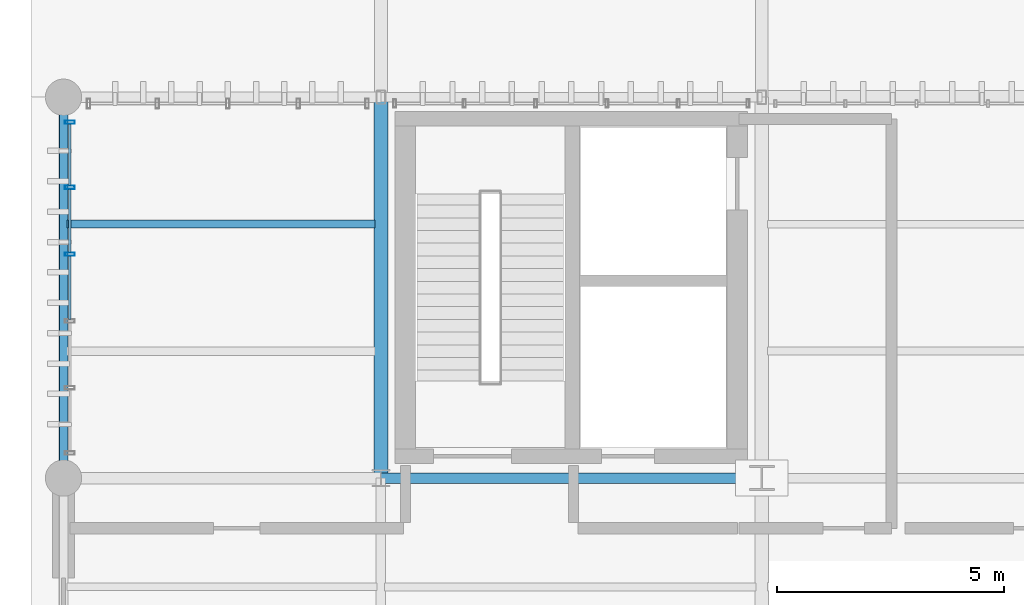
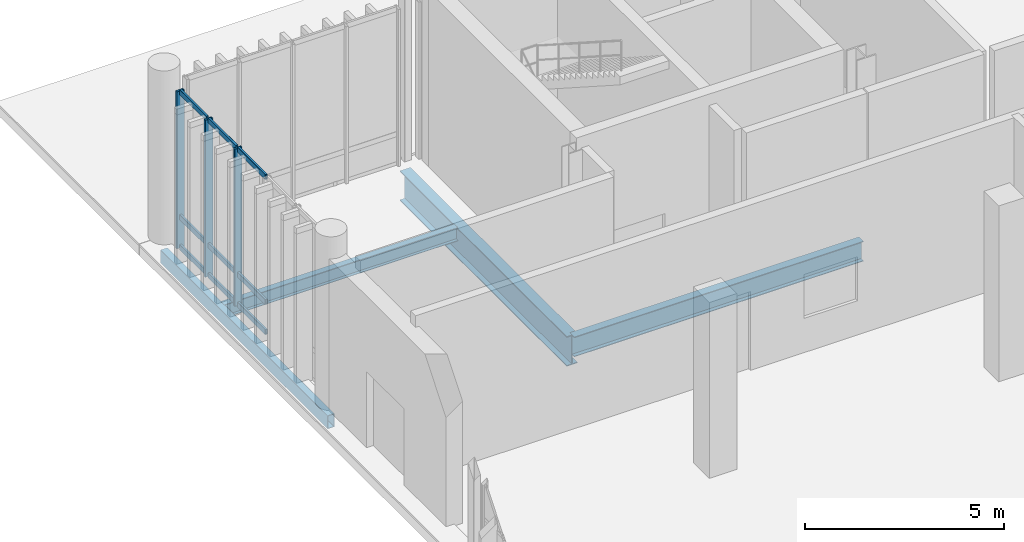
# One storey, part 26 of 112: 12 members, 4 beams, 1 element without a shape of its own.
"""IFC4 building model written with IfcOpenShell, lengths in metres."""

from ifc_helpers import new_model, si_unit, direction, frame, origin_with_axes, origin_2d_with_axis, place, context, subcontext, project, spatial, hollow_rectangle, i_section, extrude, material, material_profile, profile_set, type_object, element, aggregate, save


model = new_model("IFC4")

# Units and contexts
model_context = context("Model", 3, precision=1e-05, world=origin_with_axes(), true_north=direction((0.0, 1.0)))
body_context = subcontext(model_context, "Body", "Model", "MODEL_VIEW")
ifc_project = project(units=[si_unit("LENGTHUNIT", "METRE"), si_unit("AREAUNIT", "SQUARE_METRE"), si_unit("VOLUMEUNIT", "CUBIC_METRE"), si_unit("PLANEANGLEUNIT", "RADIAN"), si_unit("MASSUNIT", "GRAM", prefix="KILO"), si_unit("THERMODYNAMICTEMPERATUREUNIT", "KELVIN")], contexts=[model_context])

# Site, building, storey
site_placement = place(None, origin_with_axes())
site = spatial("IfcSite", under=ifc_project, at=site_placement, CompositionType="ELEMENT")
building_placement = place(site_placement, origin_with_axes())
building = spatial("IfcBuilding", under=site, at=building_placement, Name="Montbau Bow Law Courts", CompositionType="ELEMENT")
storey_placement = place(building_placement, origin_with_axes())
storey = spatial("IfcBuildingStorey", under=building, at=storey_placement, Name="L00", CompositionType="ELEMENT", Elevation=0.0)

# Beams
ifc_material_1 = material(Name="Steel CSA G40.21 Grade 350W (350 MPa)", Category="steel")
ifc_material_profile_1 = material_profile(ifc_material_1, i_section(OverallWidth=0.306, OverallDepth=0.919, WebThickness=0.0173, FlangeThickness=0.0279, at=origin_2d_with_axis()), Name="W920X253", Category="Main", Priority=0)
ifc_profile_set_1 = profile_set([ifc_material_profile_1], Name="Steel CSA G40.21 Grade 350W (350 MPa)")
beam_type_1 = type_object("IfcBeamType", Name="B-FLR-01", PredefinedType="BEAM", material=ifc_profile_set_1)
beam_1_placement = place(None, frame((13.8, 46.2, -0.8), z_axis=(0.0, 1.0, 0.0), x_axis=(-1.0, 0.0, 0.0)))
element("IfcBeam", 1, at=beam_1_placement, inside=storey, type_object=beam_type_1, Name="BM-L00-S0246:bm2_0249", PredefinedType="BEAM", context=body_context, shape_type="SweptSolid", body=[
    extrude(i_section(OverallWidth=0.306, OverallDepth=0.919, WebThickness=0.0173, FlangeThickness=0.0279, at=origin_2d_with_axis()), origin_with_axes(), (0.0, 0.0, 1.0), 8.4),
])
ifc_material_profile_2 = material_profile(ifc_material_1, i_section(OverallWidth=0.229, OverallDepth=0.612, WebThickness=0.0119, FlangeThickness=0.0196, at=origin_2d_with_axis()), Name="W610X125", Category="Main", Priority=0)
ifc_profile_set_2 = profile_set([ifc_material_profile_2], Name="Steel CSA G40.21 Grade 350W (350 MPa)")
beam_type_2 = type_object("IfcBeamType", Name="B-FLR-05", PredefinedType="BEAM", material=ifc_profile_set_2)
beam_2_placement = place(None, frame((13.8, 46.2, -0.646), z_axis=(1.0, 0.0, 0.0), x_axis=(0.0, 1.0, 0.0)))
element("IfcBeam", 2, at=beam_2_placement, inside=storey, type_object=beam_type_2, Name="BM-L00-S0198:bm2_0201", PredefinedType="BEAM", context=body_context, shape_type="SweptSolid", body=[
    extrude(i_section(OverallWidth=0.229, OverallDepth=0.612, WebThickness=0.0119, FlangeThickness=0.0196, at=origin_2d_with_axis()), origin_with_axes(), (0.0, 0.0, 1.0), 8.4),
])
ifc_material_profile_3 = material_profile(ifc_material_1, i_section(OverallWidth=0.179, OverallDepth=0.41, WebThickness=0.0088, FlangeThickness=0.0144, at=origin_2d_with_axis()), Name="W410X67", Category="Main", Priority=0)
ifc_profile_set_3 = profile_set([ifc_material_profile_3], Name="Steel CSA G40.21 Grade 350W (350 MPa)")
beam_type_3 = type_object("IfcBeamType", Name="B-JST-02", PredefinedType="JOIST", material=ifc_profile_set_3)
beam_3_placement = place(None, frame((6.88, 51.8, -0.545), z_axis=(1.0, 0.0, 0.0), x_axis=(0.0, 1.0, 0.0)))
element("IfcBeam", 3, at=beam_3_placement, inside=storey, type_object=beam_type_3, Name="JST-L00-S0009:jst2_0009", PredefinedType="JOIST", context=body_context, shape_type="SweptSolid", body=[
    extrude(i_section(OverallWidth=0.179, OverallDepth=0.41, WebThickness=0.0088, FlangeThickness=0.0144, at=origin_2d_with_axis()), origin_with_axes(), (0.0, 0.0, 1.0), 6.791),
])
ifc_material_2 = material(Name="Steel CSA G40.21 Grade 350WT (350 MPa)", Category="steel")
ifc_material_profile_4 = material_profile(ifc_material_2, hollow_rectangle(XDim=0.203, YDim=0.406, WallThickness=0.0127, InnerFilletRadius=0.0254, OuterFilletRadius=0.0127, at=origin_2d_with_axis()), Name="HSS406X203X13", Category="Main", Priority=0)
ifc_profile_set_4 = profile_set([ifc_material_profile_4], Name="Steel CSA G40.21 Grade 350WT (350 MPa)")
beam_type_4 = type_object("IfcBeamType", Name="B-SPN-01", PredefinedType="SPANDREL", material=ifc_profile_set_4)
beam_4_placement = place(None, frame((6.8, 46.2, -0.543), z_axis=(0.0, 1.0, 0.0), x_axis=(-1.0, 0.0, 0.0)))
element("IfcBeam", 4, at=beam_4_placement, inside=storey, type_object=beam_type_4, Name="SPN-L00-S0241:bm2_0244", PredefinedType="SPANDREL", context=body_context, shape_type="SweptSolid", body=[
    extrude(hollow_rectangle(XDim=0.203, YDim=0.406, WallThickness=0.0127, InnerFilletRadius=0.0254, OuterFilletRadius=0.0127, at=origin_2d_with_axis()), origin_with_axes(), (0.0, 0.0, 1.0), 8.4),
])

# Curtain wall, members
ifc_material_3 = material(Name="Thermally Broken Extruded Aluminium AA 6063-T6", Category="aluminium")
curtain_wall_type = type_object("IfcCurtainWallType", Name="CW-TRC-01", PredefinedType="NOTDEFINED", material=ifc_material_3)
curtain_wall_placement = place(None, frame((6.94, 46.715, 0.0), z_axis=(0.0, 0.0, 1.0), x_axis=(1.0, 0.0, 0.0)))
curtain_wall = element("IfcCurtainWall", 5, at=curtain_wall_placement, inside=storey, type_object=curtain_wall_type, Name="CW-L00-012:cw_0012", PredefinedType="NOTDEFINED")
ifc_material_profile_5 = material_profile(ifc_material_3, hollow_rectangle(XDim=0.075, YDim=0.22, WallThickness=0.005, InnerFilletRadius=0.01, OuterFilletRadius=0.005, at=origin_2d_with_axis()), Name="CWM-220X75", Category="Main", Priority=0)
ifc_profile_set_5 = profile_set([ifc_material_profile_5], Name="Thermally Broken Extruded Aluminium AA 6063-T6")
member_type_1 = type_object("IfcMemberType", Name="M-MUL-01", PredefinedType="MULLION", material=ifc_profile_set_5)
member_1_placement = place(None, frame((6.94, 51.137, 0.0), z_axis=(0.0, 0.0, 1.0), x_axis=(0.0, 1.0, 0.0)))
member_1 = element("IfcMember", 6, at=member_1_placement, type_object=member_type_1, Name="CW-L00-012-M04:cw_0012_M04", PredefinedType="MULLION", context=body_context, shape_type="SweptSolid", body=[
    extrude(hollow_rectangle(XDim=0.075, YDim=0.22, WallThickness=0.005, InnerFilletRadius=0.01, OuterFilletRadius=0.005, at=origin_2d_with_axis()), origin_with_axes(), (0.0, 0.0, 1.0), 4.82),
])
member_2_placement = place(None, frame((6.94, 52.611, 0.0), z_axis=(0.0, 0.0, 1.0), x_axis=(0.0, 1.0, 0.0)))
member_2 = element("IfcMember", 7, at=member_2_placement, type_object=member_type_1, Name="CW-L00-012-M05:cw_0012_M05", PredefinedType="MULLION", context=body_context, shape_type="SweptSolid", body=[
    extrude(hollow_rectangle(XDim=0.075, YDim=0.22, WallThickness=0.005, InnerFilletRadius=0.01, OuterFilletRadius=0.005, at=origin_2d_with_axis()), origin_with_axes(), (0.0, 0.0, 1.0), 4.82),
])
member_3_placement = place(None, frame((6.94, 54.047, 0.0), z_axis=(0.0, 0.0, 1.0), x_axis=(0.0, 1.0, 0.0)))
member_3 = element("IfcMember", 8, at=member_3_placement, type_object=member_type_1, Name="CW-L00-012-M06:cw_0012_M06", PredefinedType="MULLION", context=body_context, shape_type="SweptSolid", body=[
    extrude(hollow_rectangle(XDim=0.075, YDim=0.22, WallThickness=0.005, InnerFilletRadius=0.01, OuterFilletRadius=0.005, at=origin_2d_with_axis()), origin_with_axes(), (0.0, 0.0, 1.0), 4.82),
])
ifc_material_profile_6 = material_profile(ifc_material_3, hollow_rectangle(XDim=0.06, YDim=0.16, WallThickness=0.004, InnerFilletRadius=0.008, OuterFilletRadius=0.004, at=origin_2d_with_axis()), Name="CWT-160X60", Category="Main", Priority=0)
ifc_profile_set_6 = profile_set([ifc_material_profile_6], Name="Thermally Broken Extruded Aluminium AA 6063-T6")
member_type_2 = type_object("IfcMemberType", Name="M-TRN-01", PredefinedType="USERDEFINED", material=ifc_profile_set_6)
member_4_placement = place(None, frame((6.94, 49.702, 0.03), z_axis=(0.0, 1.0, 0.0), x_axis=(-1.0, 0.0, 0.0)))
member_4 = element("IfcMember", 9, at=member_4_placement, type_object=member_type_2, Name="CW-L00-012-T03-1:cw_0012_T03_1", ObjectType="TRANSOM", PredefinedType="USERDEFINED", context=body_context, shape_type="SweptSolid", body=[
    extrude(hollow_rectangle(XDim=0.06, YDim=0.16, WallThickness=0.004, InnerFilletRadius=0.008, OuterFilletRadius=0.004, at=origin_2d_with_axis()), origin_with_axes(), (0.0, 0.0, 1.0), 1.396),
])
member_5_placement = place(None, frame((6.94, 49.702, 0.95), z_axis=(0.0, 1.0, 0.0), x_axis=(-1.0, 0.0, 0.0)))
member_5 = element("IfcMember", 10, at=member_5_placement, type_object=member_type_2, Name="CW-L00-012-T03-2:cw_0012_T03_2", ObjectType="TRANSOM", PredefinedType="USERDEFINED", context=body_context, shape_type="SweptSolid", body=[
    extrude(hollow_rectangle(XDim=0.06, YDim=0.16, WallThickness=0.004, InnerFilletRadius=0.008, OuterFilletRadius=0.004, at=origin_2d_with_axis()), origin_with_axes(), (0.0, 0.0, 1.0), 1.396),
])
member_6_placement = place(None, frame((6.94, 49.702, 4.79), z_axis=(0.0, 1.0, 0.0), x_axis=(-1.0, 0.0, 0.0)))
member_6 = element("IfcMember", 11, at=member_6_placement, type_object=member_type_2, Name="CW-L00-012-T03-3:cw_0012_T03_3", ObjectType="TRANSOM", PredefinedType="USERDEFINED", context=body_context, shape_type="SweptSolid", body=[
    extrude(hollow_rectangle(XDim=0.06, YDim=0.16, WallThickness=0.004, InnerFilletRadius=0.008, OuterFilletRadius=0.004, at=origin_2d_with_axis()), origin_with_axes(), (0.0, 0.0, 1.0), 1.396),
])
member_7_placement = place(None, frame((6.94, 51.176, 0.03), z_axis=(0.0, 1.0, 0.0), x_axis=(-1.0, 0.0, 0.0)))
member_7 = element("IfcMember", 12, at=member_7_placement, type_object=member_type_2, Name="CW-L00-012-T04-1:cw_0012_T04_1", ObjectType="TRANSOM", PredefinedType="USERDEFINED", context=body_context, shape_type="SweptSolid", body=[
    extrude(hollow_rectangle(XDim=0.06, YDim=0.16, WallThickness=0.004, InnerFilletRadius=0.008, OuterFilletRadius=0.004, at=origin_2d_with_axis()), origin_with_axes(), (0.0, 0.0, 1.0), 1.396),
])
member_8_placement = place(None, frame((6.94, 51.176, 0.95), z_axis=(0.0, 1.0, 0.0), x_axis=(-1.0, 0.0, 0.0)))
member_8 = element("IfcMember", 13, at=member_8_placement, type_object=member_type_2, Name="CW-L00-012-T04-2:cw_0012_T04_2", ObjectType="TRANSOM", PredefinedType="USERDEFINED", context=body_context, shape_type="SweptSolid", body=[
    extrude(hollow_rectangle(XDim=0.06, YDim=0.16, WallThickness=0.004, InnerFilletRadius=0.008, OuterFilletRadius=0.004, at=origin_2d_with_axis()), origin_with_axes(), (0.0, 0.0, 1.0), 1.396),
])
member_9_placement = place(None, frame((6.94, 51.176, 4.79), z_axis=(0.0, 1.0, 0.0), x_axis=(-1.0, 0.0, 0.0)))
member_9 = element("IfcMember", 14, at=member_9_placement, type_object=member_type_2, Name="CW-L00-012-T04-3:cw_0012_T04_3", ObjectType="TRANSOM", PredefinedType="USERDEFINED", context=body_context, shape_type="SweptSolid", body=[
    extrude(hollow_rectangle(XDim=0.06, YDim=0.16, WallThickness=0.004, InnerFilletRadius=0.008, OuterFilletRadius=0.004, at=origin_2d_with_axis()), origin_with_axes(), (0.0, 0.0, 1.0), 1.396),
])
member_10_placement = place(None, frame((6.94, 52.65, 0.03), z_axis=(0.0, 1.0, 0.0), x_axis=(-1.0, 0.0, 0.0)))
member_10 = element("IfcMember", 15, at=member_10_placement, type_object=member_type_2, Name="CW-L00-012-T05-1:cw_0012_T05_1", ObjectType="TRANSOM", PredefinedType="USERDEFINED", context=body_context, shape_type="SweptSolid", body=[
    extrude(hollow_rectangle(XDim=0.06, YDim=0.16, WallThickness=0.004, InnerFilletRadius=0.008, OuterFilletRadius=0.004, at=origin_2d_with_axis()), origin_with_axes(), (0.0, 0.0, 1.0), 1.358),
])
member_11_placement = place(None, frame((6.94, 52.65, 0.95), z_axis=(0.0, 1.0, 0.0), x_axis=(-1.0, 0.0, 0.0)))
member_11 = element("IfcMember", 16, at=member_11_placement, type_object=member_type_2, Name="CW-L00-012-T05-2:cw_0012_T05_2", ObjectType="TRANSOM", PredefinedType="USERDEFINED", context=body_context, shape_type="SweptSolid", body=[
    extrude(hollow_rectangle(XDim=0.06, YDim=0.16, WallThickness=0.004, InnerFilletRadius=0.008, OuterFilletRadius=0.004, at=origin_2d_with_axis()), origin_with_axes(), (0.0, 0.0, 1.0), 1.358),
])
member_12_placement = place(None, frame((6.94, 52.65, 4.79), z_axis=(0.0, 1.0, 0.0), x_axis=(-1.0, 0.0, 0.0)))
member_12 = element("IfcMember", 17, at=member_12_placement, type_object=member_type_2, Name="CW-L00-012-T05-3:cw_0012_T05_3", ObjectType="TRANSOM", PredefinedType="USERDEFINED", context=body_context, shape_type="SweptSolid", body=[
    extrude(hollow_rectangle(XDim=0.06, YDim=0.16, WallThickness=0.004, InnerFilletRadius=0.008, OuterFilletRadius=0.004, at=origin_2d_with_axis()), origin_with_axes(), (0.0, 0.0, 1.0), 1.358),
])
aggregate(curtain_wall, [member_1, member_2, member_3, member_4, member_5, member_6, member_7, member_8, member_9, member_10, member_11, member_12])

save(model, "model.ifc")
